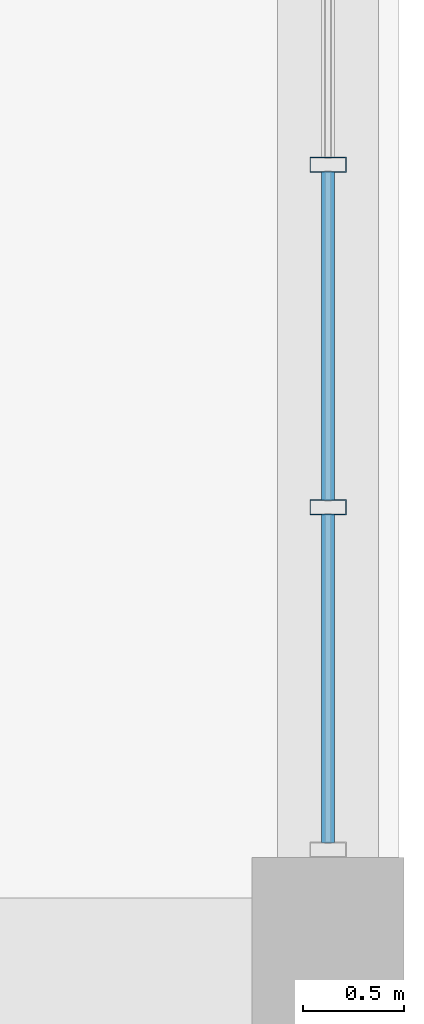
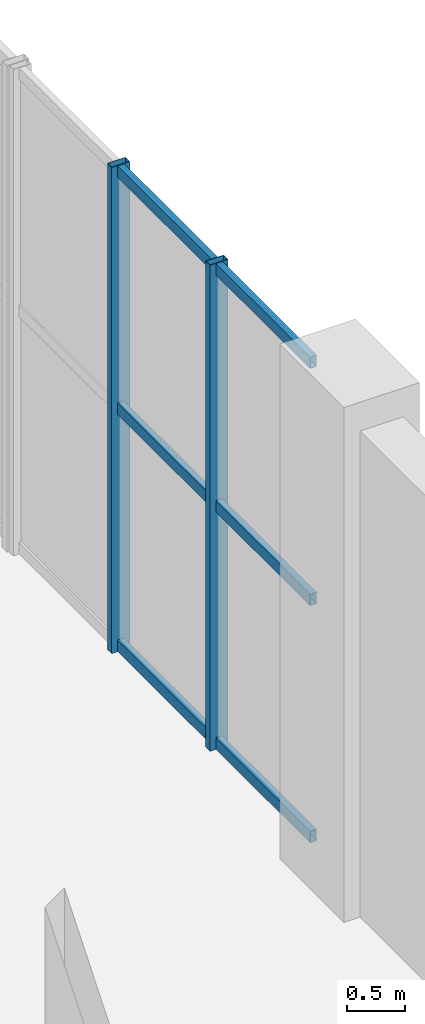
# One storey, part 69 of 113: 8 members, 1 element without a shape of its own.
"""IFC4 building model written with IfcOpenShell, lengths in metres."""

from ifc_helpers import new_model, si_unit, direction, frame, origin, origin_2d, place, context, subcontext, project, spatial, hollow_rectangle, extrude, material, layer, layer_set, material_profile, profile_set, type_object, element, aggregate, save


model = new_model("IFC4")

# Units and contexts
model_context = context("Model", 3, precision=1e-05, world=origin(), true_north=direction((0.0, 1.0)))
body_context = subcontext(model_context, "Body", "Model", "MODEL_VIEW")
ifc_project = project(units=[si_unit("LENGTHUNIT", "METRE"), si_unit("AREAUNIT", "SQUARE_METRE"), si_unit("VOLUMEUNIT", "CUBIC_METRE"), si_unit("PLANEANGLEUNIT", "RADIAN"), si_unit("MASSUNIT", "GRAM", prefix="KILO"), si_unit("POWERUNIT", "WATT"), si_unit("THERMODYNAMICTEMPERATUREUNIT", "KELVIN")], contexts=[model_context])

# Site, building, storey
site_placement = place(None, origin())
site = spatial("IfcSite", under=ifc_project, at=site_placement, CompositionType="ELEMENT")
building_placement = place(site_placement, origin())
building = spatial("IfcBuilding", under=site, at=building_placement, Name="Kelmbourne Parkland Aquatics Centre", CompositionType="ELEMENT")
storey_placement = place(building_placement, origin())
storey = spatial("IfcBuildingStorey", under=building, at=storey_placement, Name="L00", CompositionType="ELEMENT", Elevation=0.0)

# Curtain wall, members
ifc_material = material(Name="Thermally broken anodised aluminium framing", Category="aluminium")
ifc_layer = layer(ifc_material, 0.179931640625)
ifc_layer_set = layer_set([ifc_layer], Name="Thermally broken anodised aluminium framing")
curtain_wall_type = type_object("IfcCurtainWallType", Name="CW-09", PredefinedType="NOTDEFINED", material=ifc_layer_set)
curtain_wall_placement = place(storey_placement, origin())
curtain_wall = element("IfcCurtainWall", 1, at=curtain_wall_placement, inside=storey, type_object=curtain_wall_type, Name="Facade curtain wall CW-L00-081", PredefinedType="NOTDEFINED")
ifc_material_profile_1 = material_profile(ifc_material, hollow_rectangle(XDim=0.074951171875, YDim=0.179931640625, WallThickness=0.00439453125, at=origin_2d()), Name="CW-M 75x180")
ifc_profile_set_1 = profile_set([ifc_material_profile_1], Name="Thermally broken anodised aluminium framing")
member_type_1 = type_object("IfcMemberType", Name="MB-MUL-2", PredefinedType="MULLION", material=ifc_profile_set_1)
member_1_placement = place(storey_placement, frame((175.199951171875, 94.280517578125, 0.0), z_axis=(0.0, 0.0, 1.0), x_axis=(0.0, 1.0, 0.0)))
member_1 = element("IfcMember", 2, at=member_1_placement, type_object=member_type_1, Name="CW-L00-081 mullion 1", PredefinedType="MULLION", context=body_context, shape_type="SweptSolid", body=[
    extrude(hollow_rectangle(XDim=0.074951171875, YDim=0.179931640625, WallThickness=0.00439453125, at=origin_2d()), origin(), (0.0, 0.0, 1.0), 5.10009765625),
])
member_2_placement = place(storey_placement, frame((175.199951171875, 95.971435546875, 0.0), z_axis=(0.0, 0.0, 1.0), x_axis=(0.0, 1.0, 0.0)))
member_2 = element("IfcMember", 3, at=member_2_placement, type_object=member_type_1, Name="CW-L00-081 mullion 2", PredefinedType="MULLION", context=body_context, shape_type="SweptSolid", body=[
    extrude(hollow_rectangle(XDim=0.074951171875, YDim=0.179931640625, WallThickness=0.00439453125, at=origin_2d()), origin(), (0.0, 0.0, 1.0), 5.10009765625),
])
ifc_material_profile_2 = material_profile(ifc_material, hollow_rectangle(XDim=0.06494140625, YDim=0.1201171875, WallThickness=0.00341796875, at=origin_2d()), Name="CW-T 65x120")
ifc_profile_set_2 = profile_set([ifc_material_profile_2], Name="Thermally broken anodised aluminium framing")
member_type_2 = type_object("IfcMemberType", Name="MB-TRN-1", PredefinedType="USERDEFINED", material=ifc_profile_set_2)
member_3_placement = place(storey_placement, frame((175.199951171875, 92.623046875, 0.06298828125), z_axis=(0.0, 1.0, 0.0), x_axis=(-1.0, 0.0, 0.0)))
member_3 = element("IfcMember", 4, at=member_3_placement, type_object=member_type_2, Name="CW-L00-081 transom 0-0", ObjectType="TRANSOM", PredefinedType="USERDEFINED", context=body_context, shape_type="SweptSolid", body=[
    extrude(hollow_rectangle(XDim=0.06494140625, YDim=0.1201171875, WallThickness=0.00341796875, at=origin_2d()), origin(), (0.0, 0.0, 1.0), 1.6240234375),
])
member_4_placement = place(storey_placement, frame((175.199951171875, 94.31396484375, 0.06298828125), z_axis=(0.0, 1.0, 0.0), x_axis=(-1.0, 0.0, 0.0)))
member_4 = element("IfcMember", 5, at=member_4_placement, type_object=member_type_2, Name="CW-L00-081 transom 0-1", ObjectType="TRANSOM", PredefinedType="USERDEFINED", context=body_context, shape_type="SweptSolid", body=[
    extrude(hollow_rectangle(XDim=0.06494140625, YDim=0.1201171875, WallThickness=0.00341796875, at=origin_2d()), origin(), (0.0, 0.0, 1.0), 1.6240234375),
])
member_5_placement = place(storey_placement, frame((175.199951171875, 92.623046875, 2.550048828125), z_axis=(0.0, 1.0, 0.0), x_axis=(-1.0, 0.0, 0.0)))
member_5 = element("IfcMember", 6, at=member_5_placement, type_object=member_type_2, Name="CW-L00-081 transom 1-0", ObjectType="TRANSOM", PredefinedType="USERDEFINED", context=body_context, shape_type="SweptSolid", body=[
    extrude(hollow_rectangle(XDim=0.06494140625, YDim=0.1201171875, WallThickness=0.00341796875, at=origin_2d()), origin(), (0.0, 0.0, 1.0), 1.6240234375),
])
member_6_placement = place(storey_placement, frame((175.199951171875, 94.31396484375, 2.550048828125), z_axis=(0.0, 1.0, 0.0), x_axis=(-1.0, 0.0, 0.0)))
member_6 = element("IfcMember", 7, at=member_6_placement, type_object=member_type_2, Name="CW-L00-081 transom 1-1", ObjectType="TRANSOM", PredefinedType="USERDEFINED", context=body_context, shape_type="SweptSolid", body=[
    extrude(hollow_rectangle(XDim=0.06494140625, YDim=0.1201171875, WallThickness=0.00341796875, at=origin_2d()), origin(), (0.0, 0.0, 1.0), 1.6240234375),
])
member_7_placement = place(storey_placement, frame((175.199951171875, 92.623046875, 5.037109375), z_axis=(0.0, 1.0, 0.0), x_axis=(-1.0, 0.0, 0.0)))
member_7 = element("IfcMember", 8, at=member_7_placement, type_object=member_type_2, Name="CW-L00-081 transom 2-0", ObjectType="TRANSOM", PredefinedType="USERDEFINED", context=body_context, shape_type="SweptSolid", body=[
    extrude(hollow_rectangle(XDim=0.06494140625, YDim=0.1201171875, WallThickness=0.00341796875, at=origin_2d()), origin(), (0.0, 0.0, 1.0), 1.6240234375),
])
member_8_placement = place(storey_placement, frame((175.199951171875, 94.31396484375, 5.037109375), z_axis=(0.0, 1.0, 0.0), x_axis=(-1.0, 0.0, 0.0)))
member_8 = element("IfcMember", 9, at=member_8_placement, type_object=member_type_2, Name="CW-L00-081 transom 2-1", ObjectType="TRANSOM", PredefinedType="USERDEFINED", context=body_context, shape_type="SweptSolid", body=[
    extrude(hollow_rectangle(XDim=0.06494140625, YDim=0.1201171875, WallThickness=0.00341796875, at=origin_2d()), origin(), (0.0, 0.0, 1.0), 1.6240234375),
])
aggregate(curtain_wall, [member_1, member_2, member_3, member_4, member_5, member_6, member_7, member_8])

save(model, "model.ifc")
